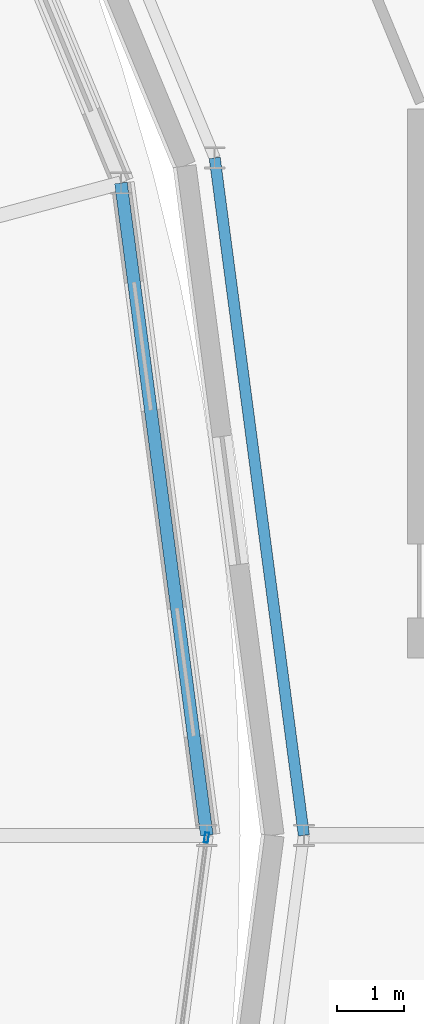
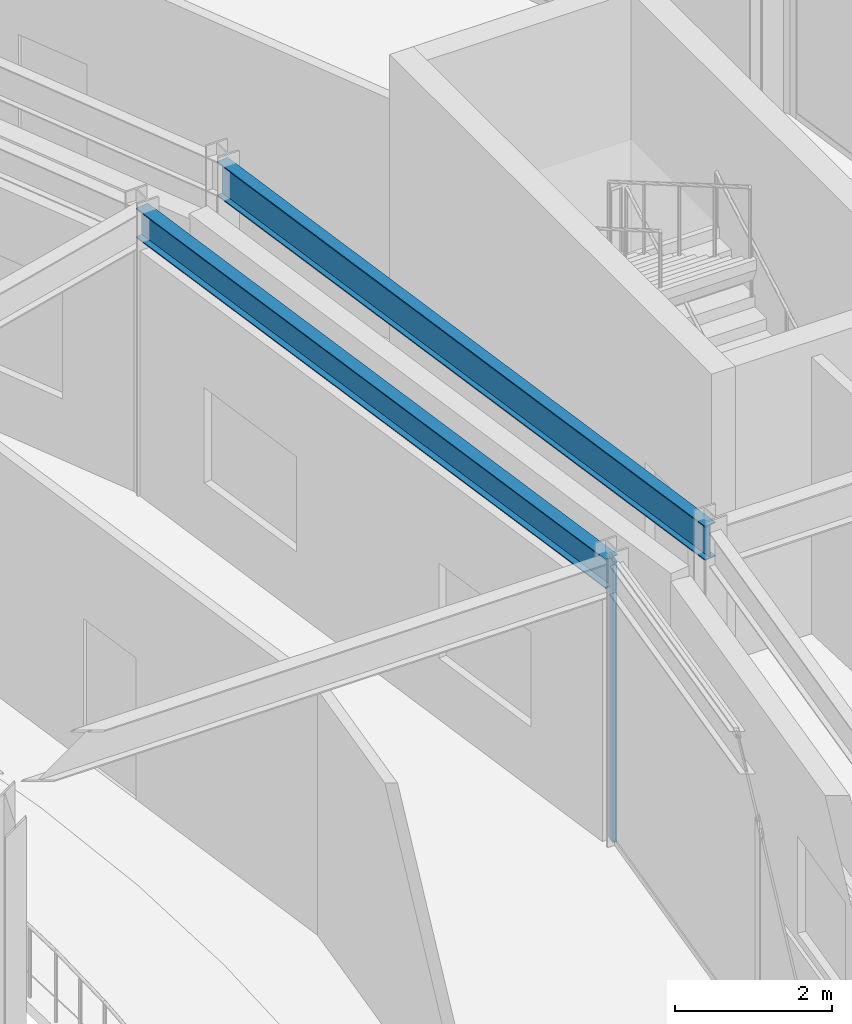
# One storey, part 42 of 133: 2 beams, 1 member, 1 element without a shape of its own.
"""IFC4 building model written with IfcOpenShell, lengths in metres."""

import ifcopenshell
import ifcopenshell.guid

model = None  # the IFC model being written
_history = None  # IfcOwnerHistory: only IFC2X3 demands one
_inside = {}  # id of a spatial element -> (the spatial element, [elements in it])
_under = {}  # id of a project, library or spatial element -> (it, [spatial elements below it])
_declared = {}  # id of a project -> (the project, [libraries it declares])
_typed = {}  # id of a type object -> (the type object, [elements of that type])
_made_of = {}  # id of a material, layer set ... -> (it, [elements and type objects made of it])


def new_model(schema):
    """Start an empty IFC model of exactly this schema.

    Asked for "IFC4X3", IfcOpenShell would pick the latest addendum, in which some entities
    have other attributes; the version numbers below select the first issue.
    IFC2X3 requires an IfcOwnerHistory on every rooted entity: one is made here for all.
    """
    global model, _history
    if schema == "IFC4X3":
        model = ifcopenshell.file(schema_version=(4, 3, 0, 0))
    else:
        model = ifcopenshell.file(schema=schema)
    _inside.clear()
    _under.clear()
    _declared.clear()
    _typed.clear()
    _made_of.clear()
    _history = None
    if model.schema == "IFC2X3":
        org = make("IfcOrganization", Name="unknown")
        user = make(
            "IfcPersonAndOrganization",
            ThePerson=make("IfcPerson", FamilyName="unknown"),
            TheOrganization=org,
        )
        app = make(
            "IfcApplication",
            ApplicationDeveloper=org,
            Version="unknown",
            ApplicationFullName="unknown",
            ApplicationIdentifier="unknown",
        )
        _history = make(
            "IfcOwnerHistory",
            OwningUser=user,
            OwningApplication=app,
            ChangeAction="ADDED",
            CreationDate=0,
        )
    return model


def make(cls, **values):
    """One entity of the class cls with the attributes given. An attribute that is None is left unset."""
    return model.create_entity(
        cls, **{name: value for name, value in values.items() if value is not None}
    )


def rooted(cls, **values):
    """An entity with a GlobalId (a new one), such as an element, a storey or a relation."""
    return make(cls, GlobalId=ifcopenshell.guid.new(), OwnerHistory=_history, **values)


def si_unit(unit_type, name, prefix=None):
    """IfcSIUnit, for example si_unit("LENGTHUNIT", "METRE", prefix="MILLI")."""
    return make("IfcSIUnit", UnitType=unit_type, Prefix=prefix, Name=name)


def assignment(units):
    """IfcUnitAssignment: the units of a project."""
    return None if units is None else make("IfcUnitAssignment", Units=units)


def point(xyz):
    """IfcCartesianPoint."""
    return None if xyz is None else make("IfcCartesianPoint", Coordinates=xyz)


def direction(xyz):
    """IfcDirection."""
    return None if xyz is None else make("IfcDirection", DirectionRatios=xyz)


def frame(location, z_axis=None, x_axis=None):
    """IfcAxis2Placement3D, a coordinate frame: its origin and axes. An axis left out is left unset."""
    return make(
        "IfcAxis2Placement3D",
        Location=point(location),
        Axis=direction(z_axis),
        RefDirection=direction(x_axis),
    )


def frame_2d(location, x_axis=None):
    """IfcAxis2Placement2D, a coordinate frame in the plane: its origin and x axis."""
    return make(
        "IfcAxis2Placement2D", Location=point(location), RefDirection=direction(x_axis)
    )


def origin():
    """The frame at (0, 0, 0) with its axes left unset."""
    return frame((0.0, 0.0, 0.0))


def origin_2d():
    """The frame at (0, 0) in the plane with its x axis left unset."""
    return frame_2d((0.0, 0.0))


def place(relative_to, where):
    """IfcLocalPlacement: puts the frame where relative to a parent placement (None: the world)."""
    return make(
        "IfcLocalPlacement", PlacementRelTo=relative_to, RelativePlacement=where
    )


def context(
    kind, dimensions, precision=None, world=None, true_north=None, identifier=None
):
    """IfcGeometricRepresentationContext, for example the 3D "Model" context."""
    return make(
        "IfcGeometricRepresentationContext",
        ContextIdentifier=identifier,
        ContextType=kind,
        CoordinateSpaceDimension=dimensions,
        Precision=precision,
        WorldCoordinateSystem=world,
        TrueNorth=true_north,
    )


def subcontext(parent, identifier, kind, view, scale=None):
    """IfcGeometricRepresentationSubContext, for example "Body" below "Model"."""
    return make(
        "IfcGeometricRepresentationSubContext",
        ContextIdentifier=identifier,
        ContextType=kind,
        ParentContext=parent,
        TargetScale=scale,
        TargetView=view,
    )


def project(units=None, contexts=None):
    """IfcProject with its units and contexts."""
    return rooted(
        "IfcProject",
        Name="project",
        RepresentationContexts=contexts,
        UnitsInContext=assignment(units),
    )


def spatial(cls, under=None, at=None, **own):
    """A site, building, storey or space (cls), placed at a placement, below another one or the project."""
    s = rooted(cls, ObjectPlacement=at, **own)
    if under is not None:
        _under.setdefault(under.id(), (under, []))[1].append(s)
    return s


def profile(cls, at=None, kind="AREA", **sizes):
    """A parametric profile (cls). Its sizes go by their IFC names, for example OverallWidth=200.0."""
    return make(cls, ProfileType=kind, Position=at, **sizes)


def hollow_rectangle(**sizes):
    """IfcRectangleHollowProfileDef."""
    return profile("IfcRectangleHollowProfileDef", **sizes)


def i_section(**sizes):
    """IfcIShapeProfileDef."""
    return profile("IfcIShapeProfileDef", **sizes)


def extrude(swept, where, along, depth):
    """IfcExtrudedAreaSolid: the profile swept, set in the frame where, extruded along a direction by depth."""
    return make(
        "IfcExtrudedAreaSolid",
        SweptArea=swept,
        Position=where,
        ExtrudedDirection=direction(along),
        Depth=depth,
    )


def shape(context_of_items, identifier, shape_type, items):
    """IfcShapeRepresentation: the items that make up one representation, for example the "Body"."""
    return make(
        "IfcShapeRepresentation",
        ContextOfItems=context_of_items,
        RepresentationIdentifier=identifier,
        RepresentationType=shape_type,
        Items=items,
    )


def material(Name=None, Category=None):
    """IfcMaterial."""
    return make("IfcMaterial", Name=Name, Category=Category)


def material_profile(
    of_material, cross_section, Name=None, Category=None, Priority=None
):
    """IfcMaterialProfile: a cross section and its material."""
    return make(
        "IfcMaterialProfile",
        Name=Name,
        Material=of_material,
        Profile=cross_section,
        Priority=Priority,
        Category=Category,
    )


def profile_set(profiles, Name=None, composite=None):
    """IfcMaterialProfileSet."""
    return make(
        "IfcMaterialProfileSet",
        Name=Name,
        MaterialProfiles=profiles,
        CompositeProfile=composite,
    )


def made_of(thing, what):
    """Note that an element or type object is made of a material, layer set ...; save() writes the relation."""
    if what is not None:
        _made_of.setdefault(what.id(), (what, []))[1].append(thing)
    return thing


def type_object(cls, material=None, **own):
    """A type object (cls), such as IfcWallType, which elements share."""
    return made_of(rooted(cls, **own), material)


def element(
    cls,
    number,
    at=None,
    inside=None,
    cuts=None,
    type_object=None,
    material=None,
    context=None,
    identifier="Body",
    shape_type=None,
    held_by="IfcProductDefinitionShape",
    body=None,
    shapes=None,
    **own,
):
    """One element of the class cls, such as IfcWall. Its Tag is "e" and its number.

    at: its placement. inside: the storey or other place that contains it. cuts: it is an
    opening in that element (IfcRelVoidsElement). A single representation is given by context,
    identifier, shape_type and body (its items); several are given by shapes. held_by: the class
    of the entity that holds the representations. save() writes the other relations.
    """
    e = rooted(cls, Tag="e%d" % number, ObjectPlacement=at, **own)
    if body is not None:
        shapes = [shape(context, identifier, shape_type, body)]
    if shapes is not None:
        e.Representation = make(held_by, Representations=shapes)
    if inside is not None:
        _inside.setdefault(inside.id(), (inside, []))[1].append(e)
    if cuts is not None:
        rooted(
            "IfcRelVoidsElement", RelatingBuildingElement=cuts, RelatedOpeningElement=e
        )
    if type_object is not None:
        _typed.setdefault(type_object.id(), (type_object, []))[1].append(e)
    return made_of(e, material)


def aggregate(whole, parts):
    """IfcRelAggregates: a whole, such as a stair, and the parts it consists of."""
    return rooted("IfcRelAggregates", RelatingObject=whole, RelatedObjects=parts)


def save(model, path):
    """Write the relations noted so far, then the file.

    IfcRelAggregates (storeys below a building ...), IfcRelContainedInSpatialStructure (elements
    in a storey), IfcRelDefinesByType, IfcRelAssociatesMaterial and IfcRelDeclares: one each for
    every whole, place, type object, material and project.
    """
    for whole, parts in _under.values():
        aggregate(whole, parts)
    for where, things in _inside.values():
        rooted(
            "IfcRelContainedInSpatialStructure",
            RelatedElements=things,
            RelatingStructure=where,
        )
    for kind, things in _typed.values():
        rooted("IfcRelDefinesByType", RelatedObjects=things, RelatingType=kind)
    for what, things in _made_of.values():
        rooted("IfcRelAssociatesMaterial", RelatedObjects=things, RelatingMaterial=what)
    for by, libraries in _declared.values():
        rooted("IfcRelDeclares", RelatingContext=by, RelatedDefinitions=libraries)
    model.write(path)


model = new_model("IFC4")

# Units and contexts
model_context = context("Model", 3, precision=1e-05, world=origin(), true_north=direction((0.0, 1.0)))
body_context = subcontext(model_context, "Body", "Model", "MODEL_VIEW")
ifc_project = project(units=[si_unit("LENGTHUNIT", "METRE"), si_unit("AREAUNIT", "SQUARE_METRE"), si_unit("VOLUMEUNIT", "CUBIC_METRE"), si_unit("PLANEANGLEUNIT", "RADIAN"), si_unit("MASSUNIT", "GRAM", prefix="KILO")], contexts=[model_context])

# Site, building, storey
site_placement = place(None, origin())
site = spatial("IfcSite", under=ifc_project, at=site_placement, CompositionType="ELEMENT")
building_placement = place(site_placement, origin())
building = spatial("IfcBuilding", under=site, at=building_placement, Name="Almandine Court Research Institute", CompositionType="ELEMENT")
storey_placement = place(building_placement, frame((0.0, 0.0, 9.800048828125)))
storey = spatial("IfcBuildingStorey", under=building, at=storey_placement, Name="L02", CompositionType="ELEMENT", Elevation=9.800048828125)

# Beams
ifc_material_1 = material(Name="Steel ASTM A992 Grade 50", Category="steel")
ifc_material_profile_1 = material_profile(ifc_material_1, i_section(OverallWidth=0.18994140625, OverallDepth=0.45703125, WebThickness=0.009033203125, FlangeThickness=0.014892578125, at=origin_2d()), Name="W460x74")
ifc_profile_set_1 = profile_set([ifc_material_profile_1], Name="Steel ASTM A992 Grade 50")
beam_type_1 = type_object("IfcBeamType", Name="Beam-B-01", PredefinedType="BEAM", material=ifc_profile_set_1)
beam_1_placement = place(storey_placement, frame((124.64990234375, 56.0, 4.140869140625), z_axis=(-0.130525188913, 0.991444993461, 0.0), x_axis=(-0.991444993461, -0.130525188913, 0.0)))
element("IfcBeam", 1, at=beam_1_placement, inside=storey, type_object=beam_type_1, Name="L02 Atrium Outer Ring Beam", PredefinedType="BEAM", context=body_context, shape_type="SweptSolid", body=[
    extrude(i_section(OverallWidth=0.18994140625, OverallDepth=0.45703125, WebThickness=0.009033203125, FlangeThickness=0.014892578125, at=origin_2d()), origin(), (0.0, 0.0, 1.0), 9.8291015625),
])
ifc_material_profile_2 = material_profile(ifc_material_1, i_section(OverallWidth=0.166015625, OverallDepth=0.534912109375, WebThickness=0.010009765625, FlangeThickness=0.01708984375, at=origin_2d()), Name="W530x85")
ifc_profile_set_2 = profile_set([ifc_material_profile_2], Name="Steel ASTM A992 Grade 50")
beam_type_2 = type_object("IfcBeamType", Name="Beam-G-05-E", PredefinedType="SPANDREL", material=ifc_profile_set_2)
beam_2_placement = place(storey_placement, frame((126.10009765625, 56.0, 4.10205078125), z_axis=(-0.130496584681, 0.991448758831, 0.0), x_axis=(-0.991448758831, -0.130496584681, 0.0)))
element("IfcBeam", 2, at=beam_2_placement, inside=storey, type_object=beam_type_2, Name="L02 Drum IN Ring Beam 00", PredefinedType="SPANDREL", context=body_context, shape_type="SweptSolid", body=[
    extrude(i_section(OverallWidth=0.166015625, OverallDepth=0.534912109375, WebThickness=0.010009765625, FlangeThickness=0.01708984375, at=origin_2d()), origin(), (0.0, 0.0, 1.0), 10.20751953125),
])

# Curtain wall, member
ifc_material_2 = material(Name="Unitised Curtain Wall Framing and Solar Glazing", Category="glass")
curtain_wall_type = type_object("IfcCurtainWallType", Name="CW-CWG-24", PredefinedType="USERDEFINED", material=ifc_material_2)
curtain_wall_placement = place(storey_placement, origin())
curtain_wall = element("IfcCurtainWall", 3, at=curtain_wall_placement, inside=storey, type_object=curtain_wall_type, Name="L02 Interaction Atrium Perimeter Curtain Wall 23", ObjectType="UNITISED GLAZING", PredefinedType="USERDEFINED")
ifc_material_3 = material(Name="Anodised Aluminium AW-6063-T6", Category="aluminium")
ifc_material_profile_3 = material_profile(ifc_material_3, hollow_rectangle(XDim=0.06005859375, YDim=0.14990234375, WallThickness=0.00390625, at=origin_2d()), Name="ALU RHS 60x150x4")
ifc_profile_set_3 = profile_set([ifc_material_profile_3], Name="Anodised Aluminium AW-6063-T6")
member_type = type_object("IfcMemberType", Name="CWMul-60x150", PredefinedType="MULLION", material=ifc_profile_set_3)
member_placement = place(storey_placement, frame((124.64599609375, 55.96630859375, 0.0), z_axis=(0.0, 0.0, 1.0), x_axis=(0.991443548509, -0.130536164028, 0.0)))
member = element("IfcMember", 4, at=member_placement, type_object=member_type, Name="CWG-24 mullion 1", PredefinedType="MULLION", context=body_context, shape_type="SweptSolid", body=[
    extrude(hollow_rectangle(XDim=0.06005859375, YDim=0.14990234375, WallThickness=0.00390625, at=origin_2d()), origin(), (0.0, 0.0, 1.0), 4.369873046875),
])
aggregate(curtain_wall, [member])

save(model, "model.ifc")
